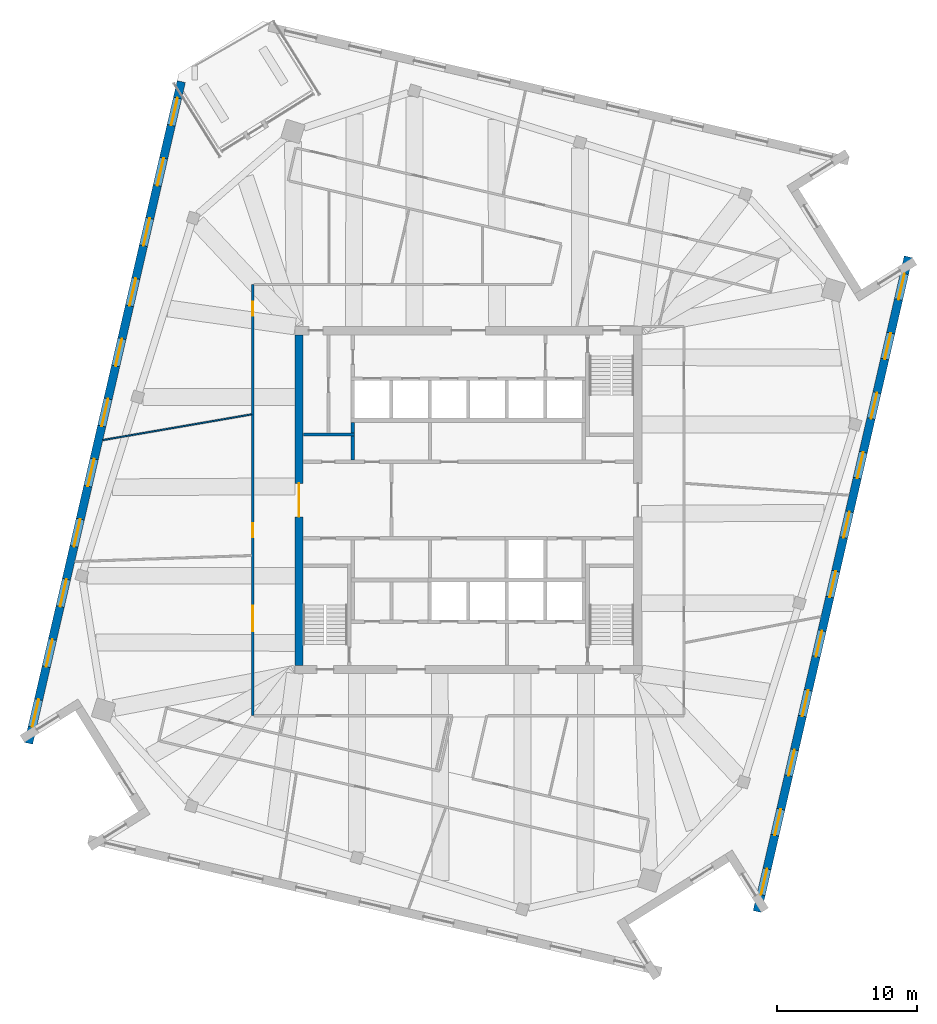
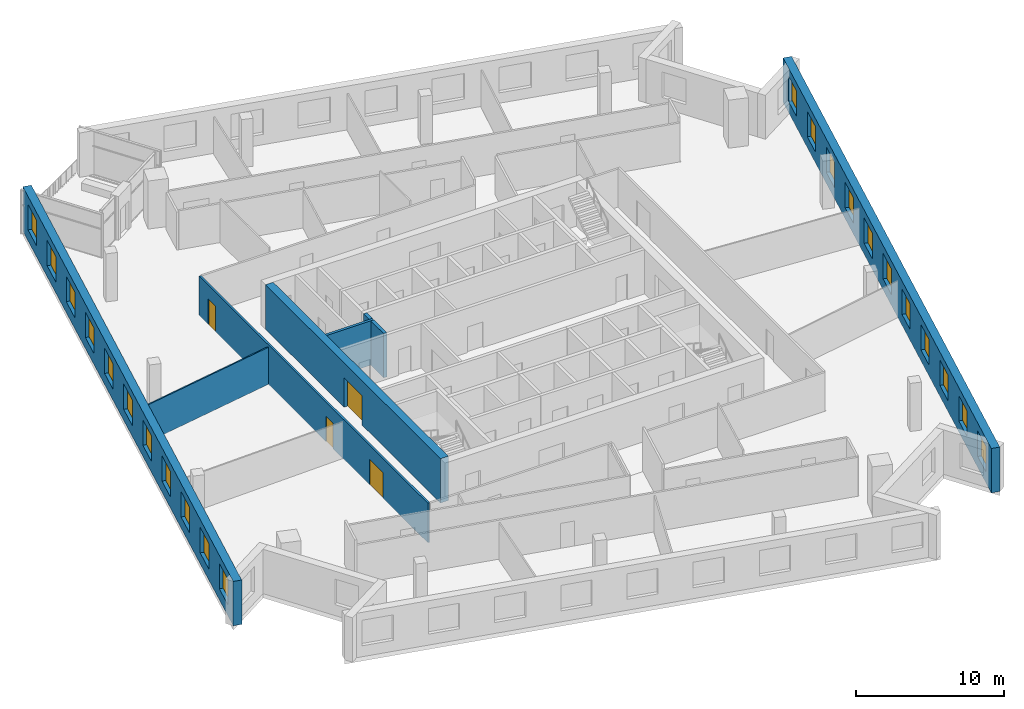
# One storey, part 8 of 14: 22 windows, 8 walls, 4 doors, 26 openings.
"""IFC4 building model written with IfcOpenShell, lengths in metres."""

from ifc_helpers import new_model, si_unit, direction, frame, frame_2d, origin, place, context, subcontext, project, spatial, rectangle, extrude, material, layer, layer_set, type_object, element, fill, save


model = new_model("IFC4")

# Units and contexts
model_context = context("Model", 3, precision=1e-05, world=origin(), true_north=direction((0.0, 1.0)))
body_context = subcontext(model_context, "Body", "Model", "MODEL_VIEW")
ifc_project = project(units=[si_unit("LENGTHUNIT", "METRE"), si_unit("AREAUNIT", "SQUARE_METRE"), si_unit("VOLUMEUNIT", "CUBIC_METRE"), si_unit("PLANEANGLEUNIT", "RADIAN"), si_unit("MASSUNIT", "GRAM", prefix="KILO")], contexts=[model_context])

# Site, building, storey
site_placement = place(None, origin())
site = spatial("IfcSite", under=ifc_project, at=site_placement, CompositionType="ELEMENT")
building_placement = place(site_placement, origin())
building = spatial("IfcBuilding", under=site, at=building_placement, Name="Dilmun Exchange Tower", CompositionType="ELEMENT")
storey_placement = place(building_placement, frame((0.0, 0.0, 340.5)))
storey = spatial("IfcBuildingStorey", under=building, at=storey_placement, Name="L81", CompositionType="ELEMENT", Elevation=340.5)

# Walls
ifc_material_1 = material(Name="Concrete C40/50", Category="concrete")
ifc_layer_1 = layer(ifc_material_1, 0.199951171875)
ifc_layer_set_1 = layer_set([ifc_layer_1], Name="Concrete C40/50")
wall_type_1 = type_object("IfcWallType", Name="Core partition wall 200", PredefinedType="PARTITIONING", material=ifc_layer_set_1)
wall_1_placement = place(storey_placement, frame((-11.794921875, 4.675048828125, 0.0), z_axis=(0.0, 0.0, 1.0), x_axis=(1.0, 0.0, 0.0)))
element("IfcWall", 1, at=wall_1_placement, inside=storey, type_object=wall_type_1, Name="L81 core partition wall 16", PredefinedType="PARTITIONING", context=body_context, shape_type="SweptSolid", body=[
    extrude(rectangle(XDim=3.64501953125, YDim=0.199951171875, at=frame_2d((1.822509765625, 0.0))), origin(), (0.0, 0.0, 1.0), 3.64990234375),
])
ifc_layer_2 = layer(ifc_material_1, 0.25)
ifc_layer_set_2 = layer_set([ifc_layer_2], Name="Concrete C40/50")
wall_type_2 = type_object("IfcWallType", Name="Core partition wall 250", PredefinedType="PARTITIONING", material=ifc_layer_set_2)
wall_2_placement = place(storey_placement, frame((-8.25, 2.85498046875, 0.0), z_axis=(0.0, 0.0, 1.0), x_axis=(0.0, 1.0, 0.0)))
element("IfcWall", 2, at=wall_2_placement, inside=storey, type_object=wall_type_2, Name="L81 core partition wall 13", PredefinedType="PARTITIONING", context=body_context, shape_type="SweptSolid", body=[
    extrude(rectangle(XDim=1.715087890625, YDim=0.25, at=frame_2d((0.857421875, 0.0))), origin(), (0.0, 0.0, 1.0), 3.64990234375),
])
wall_3_placement = place(storey_placement, frame((-8.25, 4.780029296875, 0.0), z_axis=(0.0, 0.0, 1.0), x_axis=(0.0, 1.0, 0.0)))
element("IfcWall", 3, at=wall_3_placement, inside=storey, type_object=wall_type_2, Name="L81 core partition wall 18", PredefinedType="PARTITIONING", context=body_context, shape_type="SweptSolid", body=[
    extrude(rectangle(XDim=0.764892578125, YDim=0.25, at=frame_2d((0.38232421875, 0.0))), origin(), (0.0, 0.0, 1.0), 3.64990234375),
])

# Wall, opening, door
ifc_material_2 = material(Name="Concrete C50/60", Category="concrete")
ifc_layer_3 = layer(ifc_material_2, 0.60009765625)
ifc_layer_set_3 = layer_set([ifc_layer_3], Name="Concrete C50/60")
wall_type_3 = type_object("IfcWallType", Name="Core shear wall 600 Concrete C50/60", PredefinedType="SHEAR", material=ifc_layer_set_3)
wall_4_placement = place(storey_placement, frame((-12.10009765625, -11.800048828125, 0.0), z_axis=(0.0, 0.0, 1.0), x_axis=(0.0, 1.0, 0.0)))
wall_4 = element("IfcWall", 4, at=wall_4_placement, inside=storey, type_object=wall_type_3, Name="L81 core shear wall W", PredefinedType="SHEAR", context=body_context, shape_type="SweptSolid", body=[
    extrude(rectangle(XDim=23.60009765625, YDim=0.60009765625, at=frame_2d((11.800048828125, 0.0))), origin(), (0.0, 0.0, 1.0), 3.64990234375),
])
opening_1_placement = place(wall_4_placement, frame((10.60009765625, 0.0, 0.0)))
opening_1 = element("IfcOpeningElement", 5, at=opening_1_placement, cuts=wall_4, Name="Opening CD1", PredefinedType="OPENING", context=body_context, shape_type="SweptSolid", body=[
    extrude(rectangle(XDim=2.39990234375, YDim=2.39990234375, at=frame_2d((1.199951171875, 1.199951171875))), frame((0.0, 0.31005859375, 0.0), z_axis=(0.0, -1.0, 0.0), x_axis=(1.0, 0.0, 0.0)), (0.0, 0.0, 1.0), 0.6201171875),
])
ifc_material_3 = material(Name="Fire-rated steel door set", Category="steel")
door_type_1 = type_object("IfcDoorType", Name="Core lobby door 2400x2400", OperationType="DOUBLE_DOOR_DOUBLE_SWING", PredefinedType="DOOR", material=ifc_material_3)
door_1_placement = place(opening_1_placement, origin())
door_1 = element("IfcDoor", 6, at=door_1_placement, inside=storey, type_object=door_type_1, Name="L81 door Central lift lobby", OperationType="SINGLE_SWING_LEFT", OverallHeight=2.39990234375, OverallWidth=2.39990234375, PredefinedType="DOOR", context=body_context, shape_type="SweptSolid", body=[
    extrude(rectangle(XDim=2.39990234375, YDim=2.39990234375, at=frame_2d((1.199951171875, 1.199951171875))), frame((0.0, 0.02490234375, 0.0), z_axis=(0.0, -1.0, 0.0), x_axis=(1.0, 0.0, 0.0)), (0.0, 0.0, 1.0), 0.050048828125),
])
fill(opening_1, door_1)

# Wall, openings, doors
ifc_material_4 = material(Name="Corridor wall 150")
ifc_layer_4 = layer(ifc_material_4, 0.14990234375)
ifc_layer_set_4 = layer_set([ifc_layer_4], Name="Corridor wall 150")
wall_type_4 = type_object("IfcWallType", Name="Corridor wall 150", PredefinedType="PARTITIONING", material=ifc_layer_set_4)
wall_5_placement = place(storey_placement, frame((-15.39990234375, -15.39990234375, 0.0), z_axis=(0.0, 0.0, 1.0), x_axis=(0.0, 1.0, 0.0)))
wall_5 = element("IfcWall", 7, at=wall_5_placement, inside=storey, type_object=wall_type_4, Name="Corridor wall", PredefinedType="PARTITIONING", context=body_context, shape_type="SweptSolid", body=[
    extrude(rectangle(XDim=30.7998046875, YDim=0.14990234375, at=frame_2d((15.39990234375, 0.0))), origin(), (0.0, 0.0, 1.0), 3.25),
])
opening_2_placement = place(wall_5_placement, frame((12.74072265625, 0.0, 0.0)))
opening_2 = element("IfcOpeningElement", 8, at=opening_2_placement, cuts=wall_5, Name="Opening TF79-D01", PredefinedType="OPENING", context=body_context, shape_type="SweptSolid", body=[
    extrude(rectangle(XDim=1.0, YDim=2.10009765625, at=frame_2d((0.5, 1.050048828125))), frame((0.0, 0.0849609375, 0.0), z_axis=(0.0, -1.0, 0.0), x_axis=(1.0, 0.0, 0.0)), (0.0, 0.0, 1.0), 0.169921875),
])
opening_3_placement = place(wall_5_placement, frame((6.050048828125, 0.0, 0.0)))
opening_3 = element("IfcOpeningElement", 9, at=opening_3_placement, cuts=wall_5, Name="Opening TF79-D02", PredefinedType="OPENING", context=body_context, shape_type="SweptSolid", body=[
    extrude(rectangle(XDim=1.800048828125, YDim=2.10009765625, at=frame_2d((0.89990234375, 1.050048828125))), frame((0.0, 0.0849609375, 0.0), z_axis=(0.0, -1.0, 0.0), x_axis=(1.0, 0.0, 0.0)), (0.0, 0.0, 1.0), 0.169921875),
])
opening_4_placement = place(wall_5_placement, frame((28.576904296875, 0.0, 0.0)))
opening_4 = element("IfcOpeningElement", 10, at=opening_4_placement, cuts=wall_5, Name="Opening TF79-D05", PredefinedType="OPENING", context=body_context, shape_type="SweptSolid", body=[
    extrude(rectangle(XDim=1.0, YDim=2.10009765625, at=frame_2d((0.5, 1.050048828125))), frame((0.0, 0.0849609375, 0.0), z_axis=(0.0, -1.0, 0.0), x_axis=(1.0, 0.0, 0.0)), (0.0, 0.0, 1.0), 0.169921875),
])
ifc_material_5 = material(Name="Fire door 1000 x 2100")
door_type_2 = type_object("IfcDoorType", Name="Fire door 1000 x 2100", OperationType="NOTDEFINED", PredefinedType="DOOR", material=ifc_material_5)
door_2_placement = place(opening_2_placement, origin())
door_2 = element("IfcDoor", 11, at=door_2_placement, inside=storey, type_object=door_type_2, Name="Door TF79-D01", OperationType="SINGLE_SWING_LEFT", OverallHeight=2.10009765625, OverallWidth=1.0, PredefinedType="DOOR", context=body_context, shape_type="SweptSolid", body=[
    extrude(rectangle(XDim=1.0, YDim=2.10009765625, at=frame_2d((0.5, 1.050048828125))), frame((0.0, 0.02490234375, 0.0), z_axis=(0.0, -1.0, 0.0), x_axis=(1.0, 0.0, 0.0)), (0.0, 0.0, 1.0), 0.050048828125),
])
fill(opening_2, door_2)
door_3_placement = place(opening_4_placement, origin())
door_3 = element("IfcDoor", 12, at=door_3_placement, inside=storey, type_object=door_type_2, Name="Door TF79-D05", OperationType="SINGLE_SWING_RIGHT", OverallHeight=2.10009765625, OverallWidth=1.0, PredefinedType="DOOR", context=body_context, shape_type="SweptSolid", body=[
    extrude(rectangle(XDim=1.0, YDim=2.10009765625, at=frame_2d((0.5, 1.050048828125))), frame((0.0, 0.02490234375, 0.0), z_axis=(0.0, -1.0, 0.0), x_axis=(1.0, 0.0, 0.0)), (0.0, 0.0, 1.0), 0.050048828125),
])
fill(opening_4, door_3)
ifc_material_6 = material(Name="Fire door pair 1800 x 2100")
door_type_3 = type_object("IfcDoorType", Name="Fire door pair 1800 x 2100", OperationType="NOTDEFINED", PredefinedType="DOOR", material=ifc_material_6)
door_4_placement = place(opening_3_placement, origin())
door_4 = element("IfcDoor", 13, at=door_4_placement, inside=storey, type_object=door_type_3, Name="Door TF79-D02", OperationType="DOUBLE_DOOR_SINGLE_SWING", OverallHeight=2.10009765625, OverallWidth=1.800048828125, PredefinedType="DOOR", context=body_context, shape_type="SweptSolid", body=[
    extrude(rectangle(XDim=1.800048828125, YDim=2.10009765625, at=frame_2d((0.89990234375, 1.050048828125))), frame((0.0, 0.02490234375, 0.0), z_axis=(0.0, -1.0, 0.0), x_axis=(1.0, 0.0, 0.0)), (0.0, 0.0, 1.0), 0.050048828125),
])
fill(opening_3, door_4)

# Wall
ifc_material_7 = material(Name="Partition 100")
ifc_layer_5 = layer(ifc_material_7, 0.10009765625)
ifc_layer_set_5 = layer_set([ifc_layer_5], Name="Partition 100")
wall_type_5 = type_object("IfcWallType", Name="Partition 100", PredefinedType="PARTITIONING", material=ifc_layer_set_5)
wall_6_placement = place(storey_placement, frame((-26.103271484375, 4.2841796875, 0.0), z_axis=(0.0, 0.0, 1.0), x_axis=(0.985391107222, 0.170306681627, 0.0)))
element("IfcWall", 14, at=wall_6_placement, inside=storey, type_object=wall_type_5, Name="Partition", PredefinedType="PARTITIONING", context=body_context, shape_type="SweptSolid", body=[
    extrude(rectangle(XDim=10.77734375, YDim=0.10009765625, at=frame_2d((5.388671875, 0.0))), origin(), (0.0, 0.0, 1.0), 3.050048828125),
])

# Wall, openings, windows
ifc_material_8 = material(Name="Precast concrete C50/60", Category="concrete")
ifc_layer_6 = layer(ifc_material_8, 0.60009765625)
ifc_layer_set_6 = layer_set([ifc_layer_6], Name="Precast concrete C50/60")
wall_type_6 = type_object("IfcWallType", Name="Precast stone-clad wall 600", PredefinedType="STANDARD", material=ifc_layer_set_6)
wall_7_placement = place(storey_placement, frame((-20.50439453125, 29.87841796875, 0.0), z_axis=(0.0, 0.0, 1.0), x_axis=(-0.224949596638, -0.974370401322, 0.0)))
wall_7 = element("IfcWall", 15, at=wall_7_placement, inside=storey, type_object=wall_type_6, Name="Facade wall L81-03", PredefinedType="STANDARD", context=body_context, shape_type="SweptSolid", body=[
    extrude(rectangle(XDim=48.489501953125, YDim=0.60009765625, at=frame_2d((24.24462890625, 0.0))), origin(), (0.0, 0.0, 1.0), 3.64990234375),
])
opening_5_placement = place(wall_7_placement, frame((1.2041015625, 0.0, 0.89990234375)))
opening_5 = element("IfcOpeningElement", 16, at=opening_5_placement, cuts=wall_7, Name="Opening W200-210", PredefinedType="OPENING", context=body_context, shape_type="SweptSolid", body=[
    extrude(rectangle(XDim=2.0, YDim=2.10009765625, at=frame_2d((1.0, 1.050048828125))), frame((0.0, 0.31005859375, 0.0), z_axis=(0.0, -1.0, 0.0), x_axis=(1.0, 0.0, 0.0)), (0.0, 0.0, 1.0), 0.6201171875),
])
opening_6_placement = place(wall_7_placement, frame((5.6123046875, 0.0, 0.89990234375)))
opening_6 = element("IfcOpeningElement", 17, at=opening_6_placement, cuts=wall_7, Name="Opening W200-210", PredefinedType="OPENING", context=body_context, shape_type="SweptSolid", body=[
    extrude(rectangle(XDim=2.0, YDim=2.10009765625, at=frame_2d((1.0, 1.050048828125))), frame((0.0, 0.31005859375, 0.0), z_axis=(0.0, -1.0, 0.0), x_axis=(1.0, 0.0, 0.0)), (0.0, 0.0, 1.0), 0.6201171875),
])
opening_7_placement = place(wall_7_placement, frame((10.0205078125, 0.0, 0.89990234375)))
opening_7 = element("IfcOpeningElement", 18, at=opening_7_placement, cuts=wall_7, Name="Opening W200-210", PredefinedType="OPENING", context=body_context, shape_type="SweptSolid", body=[
    extrude(rectangle(XDim=2.0, YDim=2.10009765625, at=frame_2d((1.0, 1.050048828125))), frame((0.0, 0.31005859375, 0.0), z_axis=(0.0, -1.0, 0.0), x_axis=(1.0, 0.0, 0.0)), (0.0, 0.0, 1.0), 0.6201171875),
])
opening_8_placement = place(wall_7_placement, frame((14.428466796875, 0.0, 0.89990234375)))
opening_8 = element("IfcOpeningElement", 19, at=opening_8_placement, cuts=wall_7, Name="Opening W200-210", PredefinedType="OPENING", context=body_context, shape_type="SweptSolid", body=[
    extrude(rectangle(XDim=2.0, YDim=2.10009765625, at=frame_2d((1.0, 1.050048828125))), frame((0.0, 0.31005859375, 0.0), z_axis=(0.0, -1.0, 0.0), x_axis=(1.0, 0.0, 0.0)), (0.0, 0.0, 1.0), 0.6201171875),
])
opening_9_placement = place(wall_7_placement, frame((18.836669921875, 0.0, 0.89990234375)))
opening_9 = element("IfcOpeningElement", 20, at=opening_9_placement, cuts=wall_7, Name="Opening W200-210", PredefinedType="OPENING", context=body_context, shape_type="SweptSolid", body=[
    extrude(rectangle(XDim=2.0, YDim=2.10009765625, at=frame_2d((1.0, 1.050048828125))), frame((0.0, 0.31005859375, 0.0), z_axis=(0.0, -1.0, 0.0), x_axis=(1.0, 0.0, 0.0)), (0.0, 0.0, 1.0), 0.6201171875),
])
opening_10_placement = place(wall_7_placement, frame((23.244873046875, 0.0, 0.89990234375)))
opening_10 = element("IfcOpeningElement", 21, at=opening_10_placement, cuts=wall_7, Name="Opening W200-210", PredefinedType="OPENING", context=body_context, shape_type="SweptSolid", body=[
    extrude(rectangle(XDim=2.0, YDim=2.10009765625, at=frame_2d((1.0, 1.050048828125))), frame((0.0, 0.31005859375, 0.0), z_axis=(0.0, -1.0, 0.0), x_axis=(1.0, 0.0, 0.0)), (0.0, 0.0, 1.0), 0.6201171875),
])
opening_11_placement = place(wall_7_placement, frame((27.65283203125, 0.0, 0.89990234375)))
opening_11 = element("IfcOpeningElement", 22, at=opening_11_placement, cuts=wall_7, Name="Opening W200-210", PredefinedType="OPENING", context=body_context, shape_type="SweptSolid", body=[
    extrude(rectangle(XDim=2.0, YDim=2.10009765625, at=frame_2d((1.0, 1.050048828125))), frame((0.0, 0.31005859375, 0.0), z_axis=(0.0, -1.0, 0.0), x_axis=(1.0, 0.0, 0.0)), (0.0, 0.0, 1.0), 0.6201171875),
])
opening_12_placement = place(wall_7_placement, frame((32.06103515625, 0.0, 0.89990234375)))
opening_12 = element("IfcOpeningElement", 23, at=opening_12_placement, cuts=wall_7, Name="Opening W200-210", PredefinedType="OPENING", context=body_context, shape_type="SweptSolid", body=[
    extrude(rectangle(XDim=2.0, YDim=2.10009765625, at=frame_2d((1.0, 1.050048828125))), frame((0.0, 0.31005859375, 0.0), z_axis=(0.0, -1.0, 0.0), x_axis=(1.0, 0.0, 0.0)), (0.0, 0.0, 1.0), 0.6201171875),
])
opening_13_placement = place(wall_7_placement, frame((36.46923828125, 0.0, 0.89990234375)))
opening_13 = element("IfcOpeningElement", 24, at=opening_13_placement, cuts=wall_7, Name="Opening W200-210", PredefinedType="OPENING", context=body_context, shape_type="SweptSolid", body=[
    extrude(rectangle(XDim=2.0, YDim=2.10009765625, at=frame_2d((1.0, 1.050048828125))), frame((0.0, 0.31005859375, 0.0), z_axis=(0.0, -1.0, 0.0), x_axis=(1.0, 0.0, 0.0)), (0.0, 0.0, 1.0), 0.6201171875),
])
opening_14_placement = place(wall_7_placement, frame((40.87744140625, 0.0, 0.89990234375)))
opening_14 = element("IfcOpeningElement", 25, at=opening_14_placement, cuts=wall_7, Name="Opening W200-210", PredefinedType="OPENING", context=body_context, shape_type="SweptSolid", body=[
    extrude(rectangle(XDim=2.0, YDim=2.10009765625, at=frame_2d((1.0, 1.050048828125))), frame((0.0, 0.31005859375, 0.0), z_axis=(0.0, -1.0, 0.0), x_axis=(1.0, 0.0, 0.0)), (0.0, 0.0, 1.0), 0.6201171875),
])
opening_15_placement = place(wall_7_placement, frame((45.285400390625, 0.0, 0.89990234375)))
opening_15 = element("IfcOpeningElement", 26, at=opening_15_placement, cuts=wall_7, Name="Opening W200-210", PredefinedType="OPENING", context=body_context, shape_type="SweptSolid", body=[
    extrude(rectangle(XDim=2.0, YDim=2.10009765625, at=frame_2d((1.0, 1.050048828125))), frame((0.0, 0.31005859375, 0.0), z_axis=(0.0, -1.0, 0.0), x_axis=(1.0, 0.0, 0.0)), (0.0, 0.0, 1.0), 0.6201171875),
])
ifc_material_9 = material(Name="Clear low-emissivity glass in aluminium frame", Category="aluminium")
window_type_1 = type_object("IfcWindowType", Name="Punched window 2000 x 2100", PartitioningType="DOUBLE_PANEL_VERTICAL", PredefinedType="WINDOW", material=ifc_material_9)
window_1_placement = place(opening_5_placement, origin())
window_1 = element("IfcWindow", 27, at=window_1_placement, inside=storey, type_object=window_type_1, Name="Window 4.1", OverallHeight=2.10009765625, OverallWidth=2.0, PartitioningType="SINGLE_PANEL", PredefinedType="WINDOW", context=body_context, shape_type="SweptSolid", body=[
    extrude(rectangle(XDim=2.0, YDim=2.10009765625, at=frame_2d((1.0, 1.050048828125))), frame((0.0, 0.030029296875, 0.0), z_axis=(0.0, -1.0, 0.0), x_axis=(1.0, 0.0, 0.0)), (0.0, 0.0, 1.0), 0.06005859375),
])
fill(opening_5, window_1)
window_2_placement = place(opening_6_placement, origin())
window_2 = element("IfcWindow", 28, at=window_2_placement, inside=storey, type_object=window_type_1, Name="Window 4.2", OverallHeight=2.10009765625, OverallWidth=2.0, PartitioningType="SINGLE_PANEL", PredefinedType="WINDOW", context=body_context, shape_type="SweptSolid", body=[
    extrude(rectangle(XDim=2.0, YDim=2.10009765625, at=frame_2d((1.0, 1.050048828125))), frame((0.0, 0.030029296875, 0.0), z_axis=(0.0, -1.0, 0.0), x_axis=(1.0, 0.0, 0.0)), (0.0, 0.0, 1.0), 0.06005859375),
])
fill(opening_6, window_2)
window_3_placement = place(opening_7_placement, origin())
window_3 = element("IfcWindow", 29, at=window_3_placement, inside=storey, type_object=window_type_1, Name="Window 4.3", OverallHeight=2.10009765625, OverallWidth=2.0, PartitioningType="SINGLE_PANEL", PredefinedType="WINDOW", context=body_context, shape_type="SweptSolid", body=[
    extrude(rectangle(XDim=2.0, YDim=2.10009765625, at=frame_2d((1.0, 1.050048828125))), frame((0.0, 0.030029296875, 0.0), z_axis=(0.0, -1.0, 0.0), x_axis=(1.0, 0.0, 0.0)), (0.0, 0.0, 1.0), 0.06005859375),
])
fill(opening_7, window_3)
window_4_placement = place(opening_8_placement, origin())
window_4 = element("IfcWindow", 30, at=window_4_placement, inside=storey, type_object=window_type_1, Name="Window 4.4", OverallHeight=2.10009765625, OverallWidth=2.0, PartitioningType="SINGLE_PANEL", PredefinedType="WINDOW", context=body_context, shape_type="SweptSolid", body=[
    extrude(rectangle(XDim=2.0, YDim=2.10009765625, at=frame_2d((1.0, 1.050048828125))), frame((0.0, 0.030029296875, 0.0), z_axis=(0.0, -1.0, 0.0), x_axis=(1.0, 0.0, 0.0)), (0.0, 0.0, 1.0), 0.06005859375),
])
fill(opening_8, window_4)
window_5_placement = place(opening_9_placement, origin())
window_5 = element("IfcWindow", 31, at=window_5_placement, inside=storey, type_object=window_type_1, Name="Window 4.5", OverallHeight=2.10009765625, OverallWidth=2.0, PartitioningType="SINGLE_PANEL", PredefinedType="WINDOW", context=body_context, shape_type="SweptSolid", body=[
    extrude(rectangle(XDim=2.0, YDim=2.10009765625, at=frame_2d((1.0, 1.050048828125))), frame((0.0, 0.030029296875, 0.0), z_axis=(0.0, -1.0, 0.0), x_axis=(1.0, 0.0, 0.0)), (0.0, 0.0, 1.0), 0.06005859375),
])
fill(opening_9, window_5)
window_6_placement = place(opening_10_placement, origin())
window_6 = element("IfcWindow", 32, at=window_6_placement, inside=storey, type_object=window_type_1, Name="Window 4.6", OverallHeight=2.10009765625, OverallWidth=2.0, PartitioningType="SINGLE_PANEL", PredefinedType="WINDOW", context=body_context, shape_type="SweptSolid", body=[
    extrude(rectangle(XDim=2.0, YDim=2.10009765625, at=frame_2d((1.0, 1.050048828125))), frame((0.0, 0.030029296875, 0.0), z_axis=(0.0, -1.0, 0.0), x_axis=(1.0, 0.0, 0.0)), (0.0, 0.0, 1.0), 0.06005859375),
])
fill(opening_10, window_6)
window_7_placement = place(opening_11_placement, origin())
window_7 = element("IfcWindow", 33, at=window_7_placement, inside=storey, type_object=window_type_1, Name="Window 4.7", OverallHeight=2.10009765625, OverallWidth=2.0, PartitioningType="SINGLE_PANEL", PredefinedType="WINDOW", context=body_context, shape_type="SweptSolid", body=[
    extrude(rectangle(XDim=2.0, YDim=2.10009765625, at=frame_2d((1.0, 1.050048828125))), frame((0.0, 0.030029296875, 0.0), z_axis=(0.0, -1.0, 0.0), x_axis=(1.0, 0.0, 0.0)), (0.0, 0.0, 1.0), 0.06005859375),
])
fill(opening_11, window_7)
window_8_placement = place(opening_12_placement, origin())
window_8 = element("IfcWindow", 34, at=window_8_placement, inside=storey, type_object=window_type_1, Name="Window 4.8", OverallHeight=2.10009765625, OverallWidth=2.0, PartitioningType="SINGLE_PANEL", PredefinedType="WINDOW", context=body_context, shape_type="SweptSolid", body=[
    extrude(rectangle(XDim=2.0, YDim=2.10009765625, at=frame_2d((1.0, 1.050048828125))), frame((0.0, 0.030029296875, 0.0), z_axis=(0.0, -1.0, 0.0), x_axis=(1.0, 0.0, 0.0)), (0.0, 0.0, 1.0), 0.06005859375),
])
fill(opening_12, window_8)
window_9_placement = place(opening_13_placement, origin())
window_9 = element("IfcWindow", 35, at=window_9_placement, inside=storey, type_object=window_type_1, Name="Window 4.9", OverallHeight=2.10009765625, OverallWidth=2.0, PartitioningType="SINGLE_PANEL", PredefinedType="WINDOW", context=body_context, shape_type="SweptSolid", body=[
    extrude(rectangle(XDim=2.0, YDim=2.10009765625, at=frame_2d((1.0, 1.050048828125))), frame((0.0, 0.030029296875, 0.0), z_axis=(0.0, -1.0, 0.0), x_axis=(1.0, 0.0, 0.0)), (0.0, 0.0, 1.0), 0.06005859375),
])
fill(opening_13, window_9)
window_10_placement = place(opening_14_placement, origin())
window_10 = element("IfcWindow", 36, at=window_10_placement, inside=storey, type_object=window_type_1, Name="Window 4.10", OverallHeight=2.10009765625, OverallWidth=2.0, PartitioningType="SINGLE_PANEL", PredefinedType="WINDOW", context=body_context, shape_type="SweptSolid", body=[
    extrude(rectangle(XDim=2.0, YDim=2.10009765625, at=frame_2d((1.0, 1.050048828125))), frame((0.0, 0.030029296875, 0.0), z_axis=(0.0, -1.0, 0.0), x_axis=(1.0, 0.0, 0.0)), (0.0, 0.0, 1.0), 0.06005859375),
])
fill(opening_14, window_10)
window_11_placement = place(opening_15_placement, origin())
window_11 = element("IfcWindow", 37, at=window_11_placement, inside=storey, type_object=window_type_1, Name="Window 4.11", OverallHeight=2.10009765625, OverallWidth=2.0, PartitioningType="SINGLE_PANEL", PredefinedType="WINDOW", context=body_context, shape_type="SweptSolid", body=[
    extrude(rectangle(XDim=2.0, YDim=2.10009765625, at=frame_2d((1.0, 1.050048828125))), frame((0.0, 0.030029296875, 0.0), z_axis=(0.0, -1.0, 0.0), x_axis=(1.0, 0.0, 0.0)), (0.0, 0.0, 1.0), 0.06005859375),
])
fill(opening_15, window_11)

wall_8_placement = place(storey_placement, frame((20.619140625, -29.380859375, 0.0), z_axis=(0.0, 0.0, 1.0), x_axis=(0.224952041908, 0.974369836788, 0.0)))
wall_8 = element("IfcWall", 38, at=wall_8_placement, inside=storey, type_object=wall_type_6, Name="Facade wall L81-11", PredefinedType="STANDARD", context=body_context, shape_type="SweptSolid", body=[
    extrude(rectangle(XDim=47.97900390625, YDim=0.60009765625, at=frame_2d((23.989501953125, 0.0))), origin(), (0.0, 0.0, 1.0), 3.64990234375),
])
opening_16_placement = place(wall_8_placement, frame((1.23095703125, 0.0, 0.89990234375)))
opening_16 = element("IfcOpeningElement", 39, at=opening_16_placement, cuts=wall_8, Name="Opening W190-210", PredefinedType="OPENING", context=body_context, shape_type="SweptSolid", body=[
    extrude(rectangle(XDim=1.89990234375, YDim=2.10009765625, at=frame_2d((0.949951171875, 1.050048828125))), frame((0.0, 0.31005859375, 0.0), z_axis=(0.0, -1.0, 0.0), x_axis=(1.0, 0.0, 0.0)), (0.0, 0.0, 1.0), 0.6201171875),
])
opening_17_placement = place(wall_8_placement, frame((5.592529296875, 0.0, 0.89990234375)))
opening_17 = element("IfcOpeningElement", 40, at=opening_17_placement, cuts=wall_8, Name="Opening W190-210", PredefinedType="OPENING", context=body_context, shape_type="SweptSolid", body=[
    extrude(rectangle(XDim=1.89990234375, YDim=2.10009765625, at=frame_2d((0.949951171875, 1.050048828125))), frame((0.0, 0.31005859375, 0.0), z_axis=(0.0, -1.0, 0.0), x_axis=(1.0, 0.0, 0.0)), (0.0, 0.0, 1.0), 0.6201171875),
])
opening_18_placement = place(wall_8_placement, frame((9.954345703125, 0.0, 0.89990234375)))
opening_18 = element("IfcOpeningElement", 41, at=opening_18_placement, cuts=wall_8, Name="Opening W190-210", PredefinedType="OPENING", context=body_context, shape_type="SweptSolid", body=[
    extrude(rectangle(XDim=1.89990234375, YDim=2.10009765625, at=frame_2d((0.949951171875, 1.050048828125))), frame((0.0, 0.31005859375, 0.0), z_axis=(0.0, -1.0, 0.0), x_axis=(1.0, 0.0, 0.0)), (0.0, 0.0, 1.0), 0.6201171875),
])
opening_19_placement = place(wall_8_placement, frame((14.316162109375, 0.0, 0.89990234375)))
opening_19 = element("IfcOpeningElement", 42, at=opening_19_placement, cuts=wall_8, Name="Opening W190-210", PredefinedType="OPENING", context=body_context, shape_type="SweptSolid", body=[
    extrude(rectangle(XDim=1.89990234375, YDim=2.10009765625, at=frame_2d((0.949951171875, 1.050048828125))), frame((0.0, 0.31005859375, 0.0), z_axis=(0.0, -1.0, 0.0), x_axis=(1.0, 0.0, 0.0)), (0.0, 0.0, 1.0), 0.6201171875),
])
opening_20_placement = place(wall_8_placement, frame((18.677734375, 0.0, 0.89990234375)))
opening_20 = element("IfcOpeningElement", 43, at=opening_20_placement, cuts=wall_8, Name="Opening W190-210", PredefinedType="OPENING", context=body_context, shape_type="SweptSolid", body=[
    extrude(rectangle(XDim=1.89990234375, YDim=2.10009765625, at=frame_2d((0.949951171875, 1.050048828125))), frame((0.0, 0.31005859375, 0.0), z_axis=(0.0, -1.0, 0.0), x_axis=(1.0, 0.0, 0.0)), (0.0, 0.0, 1.0), 0.6201171875),
])
opening_21_placement = place(wall_8_placement, frame((23.03955078125, 0.0, 0.89990234375)))
opening_21 = element("IfcOpeningElement", 44, at=opening_21_placement, cuts=wall_8, Name="Opening W190-210", PredefinedType="OPENING", context=body_context, shape_type="SweptSolid", body=[
    extrude(rectangle(XDim=1.89990234375, YDim=2.10009765625, at=frame_2d((0.949951171875, 1.050048828125))), frame((0.0, 0.31005859375, 0.0), z_axis=(0.0, -1.0, 0.0), x_axis=(1.0, 0.0, 0.0)), (0.0, 0.0, 1.0), 0.6201171875),
])
opening_22_placement = place(wall_8_placement, frame((27.4013671875, 0.0, 0.89990234375)))
opening_22 = element("IfcOpeningElement", 45, at=opening_22_placement, cuts=wall_8, Name="Opening W190-210", PredefinedType="OPENING", context=body_context, shape_type="SweptSolid", body=[
    extrude(rectangle(XDim=1.89990234375, YDim=2.10009765625, at=frame_2d((0.949951171875, 1.050048828125))), frame((0.0, 0.31005859375, 0.0), z_axis=(0.0, -1.0, 0.0), x_axis=(1.0, 0.0, 0.0)), (0.0, 0.0, 1.0), 0.6201171875),
])
opening_23_placement = place(wall_8_placement, frame((31.76318359375, 0.0, 0.89990234375)))
opening_23 = element("IfcOpeningElement", 46, at=opening_23_placement, cuts=wall_8, Name="Opening W190-210", PredefinedType="OPENING", context=body_context, shape_type="SweptSolid", body=[
    extrude(rectangle(XDim=1.89990234375, YDim=2.10009765625, at=frame_2d((0.949951171875, 1.050048828125))), frame((0.0, 0.31005859375, 0.0), z_axis=(0.0, -1.0, 0.0), x_axis=(1.0, 0.0, 0.0)), (0.0, 0.0, 1.0), 0.6201171875),
])
opening_24_placement = place(wall_8_placement, frame((36.124755859375, 0.0, 0.89990234375)))
opening_24 = element("IfcOpeningElement", 47, at=opening_24_placement, cuts=wall_8, Name="Opening W190-210", PredefinedType="OPENING", context=body_context, shape_type="SweptSolid", body=[
    extrude(rectangle(XDim=1.89990234375, YDim=2.10009765625, at=frame_2d((0.949951171875, 1.050048828125))), frame((0.0, 0.31005859375, 0.0), z_axis=(0.0, -1.0, 0.0), x_axis=(1.0, 0.0, 0.0)), (0.0, 0.0, 1.0), 0.6201171875),
])
opening_25_placement = place(wall_8_placement, frame((40.486572265625, 0.0, 0.89990234375)))
opening_25 = element("IfcOpeningElement", 48, at=opening_25_placement, cuts=wall_8, Name="Opening W190-210", PredefinedType="OPENING", context=body_context, shape_type="SweptSolid", body=[
    extrude(rectangle(XDim=1.89990234375, YDim=2.10009765625, at=frame_2d((0.949951171875, 1.050048828125))), frame((0.0, 0.31005859375, 0.0), z_axis=(0.0, -1.0, 0.0), x_axis=(1.0, 0.0, 0.0)), (0.0, 0.0, 1.0), 0.6201171875),
])
opening_26_placement = place(wall_8_placement, frame((44.848388671875, 0.0, 0.89990234375)))
opening_26 = element("IfcOpeningElement", 49, at=opening_26_placement, cuts=wall_8, Name="Opening W190-210", PredefinedType="OPENING", context=body_context, shape_type="SweptSolid", body=[
    extrude(rectangle(XDim=1.89990234375, YDim=2.10009765625, at=frame_2d((0.949951171875, 1.050048828125))), frame((0.0, 0.31005859375, 0.0), z_axis=(0.0, -1.0, 0.0), x_axis=(1.0, 0.0, 0.0)), (0.0, 0.0, 1.0), 0.6201171875),
])
window_type_2 = type_object("IfcWindowType", Name="Punched window 1900 x 2100", PartitioningType="DOUBLE_PANEL_VERTICAL", PredefinedType="WINDOW", material=ifc_material_9)
window_12_placement = place(opening_16_placement, origin())
window_12 = element("IfcWindow", 50, at=window_12_placement, inside=storey, type_object=window_type_2, Name="Window 12.1", OverallHeight=2.10009765625, OverallWidth=1.89990234375, PartitioningType="SINGLE_PANEL", PredefinedType="WINDOW", context=body_context, shape_type="SweptSolid", body=[
    extrude(rectangle(XDim=1.89990234375, YDim=2.10009765625, at=frame_2d((0.949951171875, 1.050048828125))), frame((0.0, 0.030029296875, 0.0), z_axis=(0.0, -1.0, 0.0), x_axis=(1.0, 0.0, 0.0)), (0.0, 0.0, 1.0), 0.06005859375),
])
fill(opening_16, window_12)
window_13_placement = place(opening_17_placement, origin())
window_13 = element("IfcWindow", 51, at=window_13_placement, inside=storey, type_object=window_type_2, Name="Window 12.2", OverallHeight=2.10009765625, OverallWidth=1.89990234375, PartitioningType="SINGLE_PANEL", PredefinedType="WINDOW", context=body_context, shape_type="SweptSolid", body=[
    extrude(rectangle(XDim=1.89990234375, YDim=2.10009765625, at=frame_2d((0.949951171875, 1.050048828125))), frame((0.0, 0.030029296875, 0.0), z_axis=(0.0, -1.0, 0.0), x_axis=(1.0, 0.0, 0.0)), (0.0, 0.0, 1.0), 0.06005859375),
])
fill(opening_17, window_13)
window_14_placement = place(opening_18_placement, origin())
window_14 = element("IfcWindow", 52, at=window_14_placement, inside=storey, type_object=window_type_2, Name="Window 12.3", OverallHeight=2.10009765625, OverallWidth=1.89990234375, PartitioningType="SINGLE_PANEL", PredefinedType="WINDOW", context=body_context, shape_type="SweptSolid", body=[
    extrude(rectangle(XDim=1.89990234375, YDim=2.10009765625, at=frame_2d((0.949951171875, 1.050048828125))), frame((0.0, 0.030029296875, 0.0), z_axis=(0.0, -1.0, 0.0), x_axis=(1.0, 0.0, 0.0)), (0.0, 0.0, 1.0), 0.06005859375),
])
fill(opening_18, window_14)
window_15_placement = place(opening_19_placement, origin())
window_15 = element("IfcWindow", 53, at=window_15_placement, inside=storey, type_object=window_type_2, Name="Window 12.4", OverallHeight=2.10009765625, OverallWidth=1.89990234375, PartitioningType="SINGLE_PANEL", PredefinedType="WINDOW", context=body_context, shape_type="SweptSolid", body=[
    extrude(rectangle(XDim=1.89990234375, YDim=2.10009765625, at=frame_2d((0.949951171875, 1.050048828125))), frame((0.0, 0.030029296875, 0.0), z_axis=(0.0, -1.0, 0.0), x_axis=(1.0, 0.0, 0.0)), (0.0, 0.0, 1.0), 0.06005859375),
])
fill(opening_19, window_15)
window_16_placement = place(opening_20_placement, origin())
window_16 = element("IfcWindow", 54, at=window_16_placement, inside=storey, type_object=window_type_2, Name="Window 12.5", OverallHeight=2.10009765625, OverallWidth=1.89990234375, PartitioningType="SINGLE_PANEL", PredefinedType="WINDOW", context=body_context, shape_type="SweptSolid", body=[
    extrude(rectangle(XDim=1.89990234375, YDim=2.10009765625, at=frame_2d((0.949951171875, 1.050048828125))), frame((0.0, 0.030029296875, 0.0), z_axis=(0.0, -1.0, 0.0), x_axis=(1.0, 0.0, 0.0)), (0.0, 0.0, 1.0), 0.06005859375),
])
fill(opening_20, window_16)
window_17_placement = place(opening_21_placement, origin())
window_17 = element("IfcWindow", 55, at=window_17_placement, inside=storey, type_object=window_type_2, Name="Window 12.6", OverallHeight=2.10009765625, OverallWidth=1.89990234375, PartitioningType="SINGLE_PANEL", PredefinedType="WINDOW", context=body_context, shape_type="SweptSolid", body=[
    extrude(rectangle(XDim=1.89990234375, YDim=2.10009765625, at=frame_2d((0.949951171875, 1.050048828125))), frame((0.0, 0.030029296875, 0.0), z_axis=(0.0, -1.0, 0.0), x_axis=(1.0, 0.0, 0.0)), (0.0, 0.0, 1.0), 0.06005859375),
])
fill(opening_21, window_17)
window_18_placement = place(opening_22_placement, origin())
window_18 = element("IfcWindow", 56, at=window_18_placement, inside=storey, type_object=window_type_2, Name="Window 12.7", OverallHeight=2.10009765625, OverallWidth=1.89990234375, PartitioningType="SINGLE_PANEL", PredefinedType="WINDOW", context=body_context, shape_type="SweptSolid", body=[
    extrude(rectangle(XDim=1.89990234375, YDim=2.10009765625, at=frame_2d((0.949951171875, 1.050048828125))), frame((0.0, 0.030029296875, 0.0), z_axis=(0.0, -1.0, 0.0), x_axis=(1.0, 0.0, 0.0)), (0.0, 0.0, 1.0), 0.06005859375),
])
fill(opening_22, window_18)
window_19_placement = place(opening_23_placement, origin())
window_19 = element("IfcWindow", 57, at=window_19_placement, inside=storey, type_object=window_type_2, Name="Window 12.8", OverallHeight=2.10009765625, OverallWidth=1.89990234375, PartitioningType="SINGLE_PANEL", PredefinedType="WINDOW", context=body_context, shape_type="SweptSolid", body=[
    extrude(rectangle(XDim=1.89990234375, YDim=2.10009765625, at=frame_2d((0.949951171875, 1.050048828125))), frame((0.0, 0.030029296875, 0.0), z_axis=(0.0, -1.0, 0.0), x_axis=(1.0, 0.0, 0.0)), (0.0, 0.0, 1.0), 0.06005859375),
])
fill(opening_23, window_19)
window_20_placement = place(opening_24_placement, origin())
window_20 = element("IfcWindow", 58, at=window_20_placement, inside=storey, type_object=window_type_2, Name="Window 12.9", OverallHeight=2.10009765625, OverallWidth=1.89990234375, PartitioningType="SINGLE_PANEL", PredefinedType="WINDOW", context=body_context, shape_type="SweptSolid", body=[
    extrude(rectangle(XDim=1.89990234375, YDim=2.10009765625, at=frame_2d((0.949951171875, 1.050048828125))), frame((0.0, 0.030029296875, 0.0), z_axis=(0.0, -1.0, 0.0), x_axis=(1.0, 0.0, 0.0)), (0.0, 0.0, 1.0), 0.06005859375),
])
fill(opening_24, window_20)
window_21_placement = place(opening_25_placement, origin())
window_21 = element("IfcWindow", 59, at=window_21_placement, inside=storey, type_object=window_type_2, Name="Window 12.10", OverallHeight=2.10009765625, OverallWidth=1.89990234375, PartitioningType="SINGLE_PANEL", PredefinedType="WINDOW", context=body_context, shape_type="SweptSolid", body=[
    extrude(rectangle(XDim=1.89990234375, YDim=2.10009765625, at=frame_2d((0.949951171875, 1.050048828125))), frame((0.0, 0.030029296875, 0.0), z_axis=(0.0, -1.0, 0.0), x_axis=(1.0, 0.0, 0.0)), (0.0, 0.0, 1.0), 0.06005859375),
])
fill(opening_25, window_21)
window_22_placement = place(opening_26_placement, origin())
window_22 = element("IfcWindow", 60, at=window_22_placement, inside=storey, type_object=window_type_2, Name="Window 12.11", OverallHeight=2.10009765625, OverallWidth=1.89990234375, PartitioningType="SINGLE_PANEL", PredefinedType="WINDOW", context=body_context, shape_type="SweptSolid", body=[
    extrude(rectangle(XDim=1.89990234375, YDim=2.10009765625, at=frame_2d((0.949951171875, 1.050048828125))), frame((0.0, 0.030029296875, 0.0), z_axis=(0.0, -1.0, 0.0), x_axis=(1.0, 0.0, 0.0)), (0.0, 0.0, 1.0), 0.06005859375),
])
fill(opening_26, window_22)

save(model, "model.ifc")
